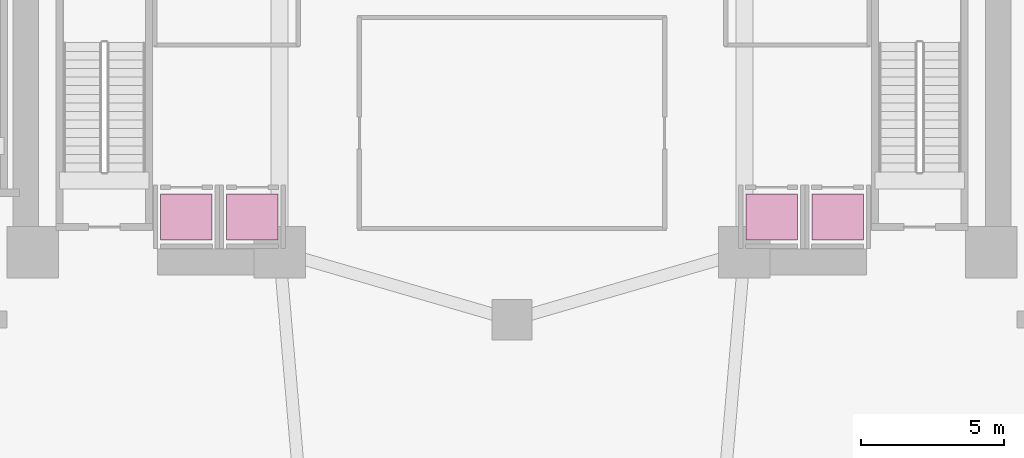
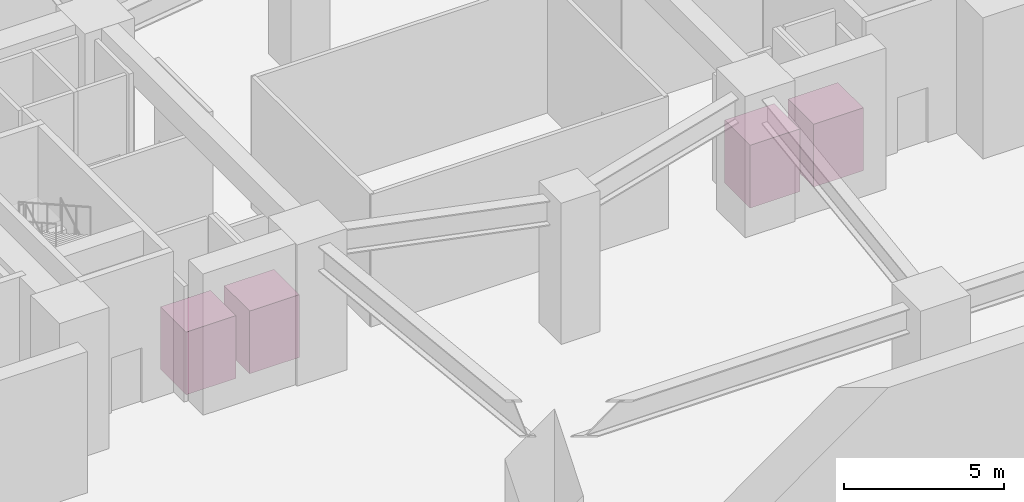
# One storey, part 9 of 9: 4 transport elements.
"""IFC4 building model written with IfcOpenShell, lengths in metres."""

from ifc_helpers import new_model, si_unit, direction, frame, origin, origin_2d, place, context, subcontext, project, spatial, rectangle, extrude, material, type_object, element, save


model = new_model("IFC4")

# Units and contexts
model_context = context("Model", 3, precision=1e-05, world=origin(), true_north=direction((0.0, 1.0)))
body_context = subcontext(model_context, "Body", "Model", "MODEL_VIEW")
ifc_project = project(units=[si_unit("LENGTHUNIT", "METRE"), si_unit("AREAUNIT", "SQUARE_METRE"), si_unit("VOLUMEUNIT", "CUBIC_METRE"), si_unit("PLANEANGLEUNIT", "RADIAN"), si_unit("MASSUNIT", "GRAM", prefix="KILO")], contexts=[model_context])

# Site, building, storey
site_placement = place(None, origin())
site = spatial("IfcSite", under=ifc_project, at=site_placement, CompositionType="ELEMENT")
building_placement = place(site_placement, origin())
building = spatial("IfcBuilding", under=site, at=building_placement, Name="Solvane Sanctuary Tower", CompositionType="ELEMENT")
storey_placement = place(building_placement, frame((0.0, 0.0, -5.39990234375)))
storey = spatial("IfcBuildingStorey", under=building, at=storey_placement, Name="B01", CompositionType="ELEMENT", Elevation=-5.39990234375)

# Transport elements
ifc_material = material(Name="Architectural Stainless Steel 316", Category="steel")
transport_element_type = type_object("IfcTransportElementType", Name="Lift Car LF-PASS", PredefinedType="ELEVATOR", material=ifc_material)
for number, where, z_axis, x_axis, name in (
    (1, (20.64990234375, 18.1298828125, 0.0), (0.0, 0.0, 1.0), (1.0, 0.0, 0.0), "Elevator PL-1"),
    (2, (22.949951171875, 18.1298828125, 0.0), (0.0, 0.0, 1.0), (1.0, 0.0, 0.0), "Elevator PL-2"),
    (3, (41.050048828125, 18.1298828125, 0.0), (0.0, 0.0, 1.0), (1.0, 0.0, 0.0), "Elevator PL-3"),
    (4, (43.35009765625, 18.1298828125, 0.0), (0.0, 0.0, 1.0), (1.0, 0.0, 0.0), "Elevator PL-4"),
):
    element("IfcTransportElement", number, at=place(storey_placement, frame(where, z_axis=z_axis, x_axis=x_axis)), inside=storey, type_object=transport_element_type, Name=name, PredefinedType="ELEVATOR", context=body_context, shape_type="SweptSolid", body=[
        extrude(rectangle(XDim=1.800048828125, YDim=1.60009765625, at=origin_2d()), origin(), (0.0, 0.0, 1.0), 2.39990234375),
    ])

save(model, "model.ifc")
